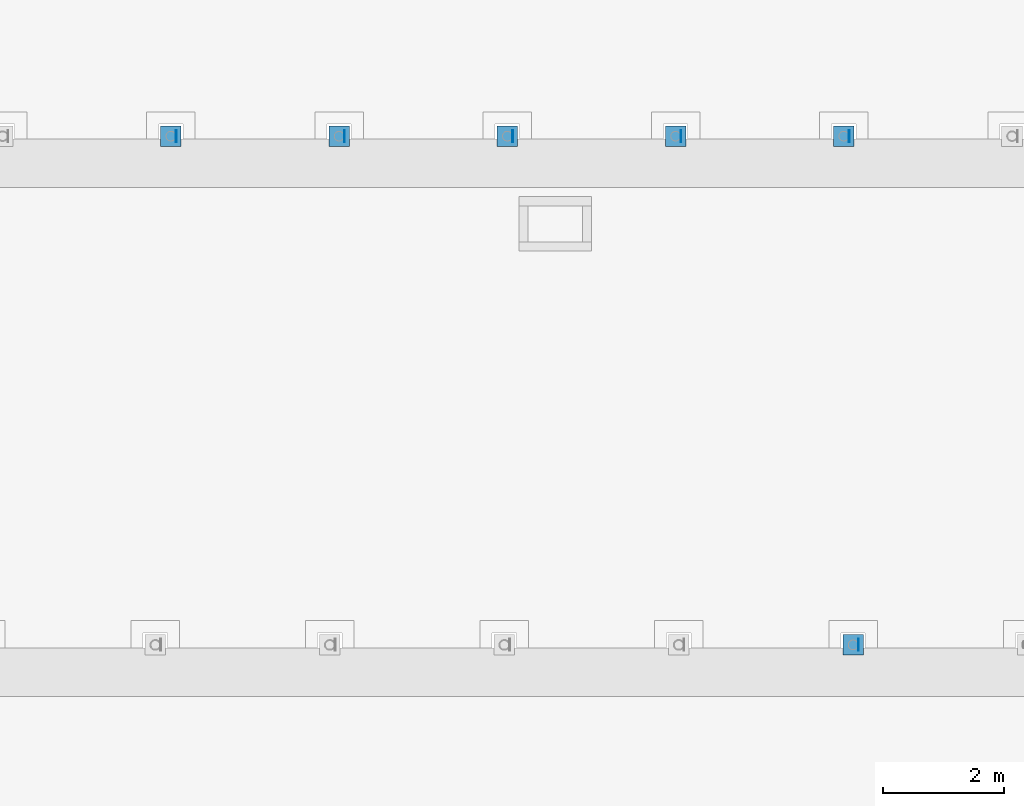
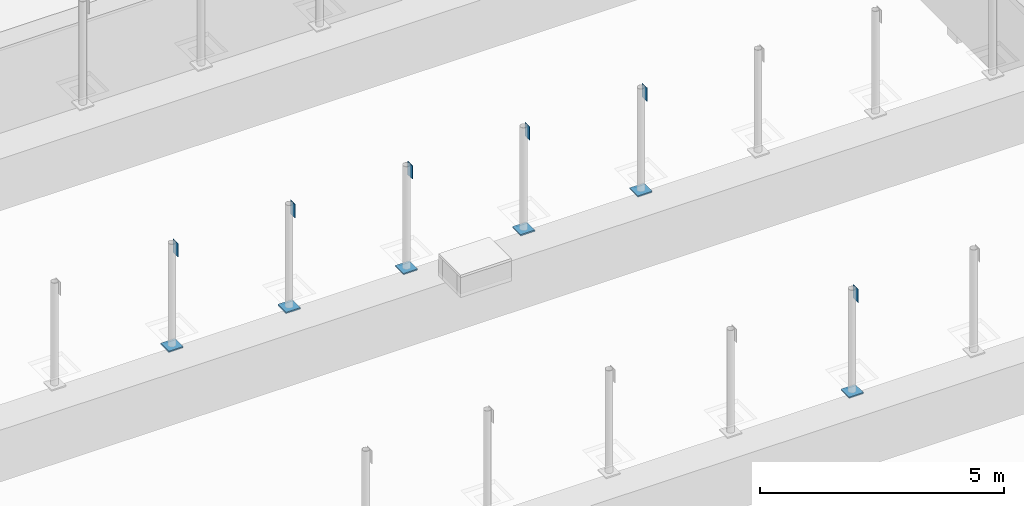
# One storey, part 37 of 47: 12 discrete accessories.
"""IFC4 building model written with IfcOpenShell, lengths in metres."""

import ifcopenshell
import ifcopenshell.guid

model = None  # the IFC model being written
_history = None  # IfcOwnerHistory: only IFC2X3 demands one
_inside = {}  # id of a spatial element -> (the spatial element, [elements in it])
_under = {}  # id of a project, library or spatial element -> (it, [spatial elements below it])
_declared = {}  # id of a project -> (the project, [libraries it declares])
_typed = {}  # id of a type object -> (the type object, [elements of that type])
_made_of = {}  # id of a material, layer set ... -> (it, [elements and type objects made of it])


def new_model(schema):
    """Start an empty IFC model of exactly this schema.

    Asked for "IFC4X3", IfcOpenShell would pick the latest addendum, in which some entities
    have other attributes; the version numbers below select the first issue.
    IFC2X3 requires an IfcOwnerHistory on every rooted entity: one is made here for all.
    """
    global model, _history
    if schema == "IFC4X3":
        model = ifcopenshell.file(schema_version=(4, 3, 0, 0))
    else:
        model = ifcopenshell.file(schema=schema)
    _inside.clear()
    _under.clear()
    _declared.clear()
    _typed.clear()
    _made_of.clear()
    _history = None
    if model.schema == "IFC2X3":
        org = make("IfcOrganization", Name="unknown")
        user = make(
            "IfcPersonAndOrganization",
            ThePerson=make("IfcPerson", FamilyName="unknown"),
            TheOrganization=org,
        )
        app = make(
            "IfcApplication",
            ApplicationDeveloper=org,
            Version="unknown",
            ApplicationFullName="unknown",
            ApplicationIdentifier="unknown",
        )
        _history = make(
            "IfcOwnerHistory",
            OwningUser=user,
            OwningApplication=app,
            ChangeAction="ADDED",
            CreationDate=0,
        )
    return model


def make(cls, **values):
    """One entity of the class cls with the attributes given. An attribute that is None is left unset."""
    return model.create_entity(
        cls, **{name: value for name, value in values.items() if value is not None}
    )


def rooted(cls, **values):
    """An entity with a GlobalId (a new one), such as an element, a storey or a relation."""
    return make(cls, GlobalId=ifcopenshell.guid.new(), OwnerHistory=_history, **values)


def si_unit(unit_type, name, prefix=None):
    """IfcSIUnit, for example si_unit("LENGTHUNIT", "METRE", prefix="MILLI")."""
    return make("IfcSIUnit", UnitType=unit_type, Prefix=prefix, Name=name)


def assignment(units):
    """IfcUnitAssignment: the units of a project."""
    return None if units is None else make("IfcUnitAssignment", Units=units)


def point(xyz):
    """IfcCartesianPoint."""
    return None if xyz is None else make("IfcCartesianPoint", Coordinates=xyz)


def direction(xyz):
    """IfcDirection."""
    return None if xyz is None else make("IfcDirection", DirectionRatios=xyz)


def frame(location, z_axis=None, x_axis=None):
    """IfcAxis2Placement3D, a coordinate frame: its origin and axes. An axis left out is left unset."""
    return make(
        "IfcAxis2Placement3D",
        Location=point(location),
        Axis=direction(z_axis),
        RefDirection=direction(x_axis),
    )


def frame_2d(location, x_axis=None):
    """IfcAxis2Placement2D, a coordinate frame in the plane: its origin and x axis."""
    return make(
        "IfcAxis2Placement2D", Location=point(location), RefDirection=direction(x_axis)
    )


def origin():
    """The frame at (0, 0, 0) with its axes left unset."""
    return frame((0.0, 0.0, 0.0))


def origin_2d():
    """The frame at (0, 0) in the plane with its x axis left unset."""
    return frame_2d((0.0, 0.0))


def place(relative_to, where):
    """IfcLocalPlacement: puts the frame where relative to a parent placement (None: the world)."""
    return make(
        "IfcLocalPlacement", PlacementRelTo=relative_to, RelativePlacement=where
    )


def context(
    kind, dimensions, precision=None, world=None, true_north=None, identifier=None
):
    """IfcGeometricRepresentationContext, for example the 3D "Model" context."""
    return make(
        "IfcGeometricRepresentationContext",
        ContextIdentifier=identifier,
        ContextType=kind,
        CoordinateSpaceDimension=dimensions,
        Precision=precision,
        WorldCoordinateSystem=world,
        TrueNorth=true_north,
    )


def subcontext(parent, identifier, kind, view, scale=None):
    """IfcGeometricRepresentationSubContext, for example "Body" below "Model"."""
    return make(
        "IfcGeometricRepresentationSubContext",
        ContextIdentifier=identifier,
        ContextType=kind,
        ParentContext=parent,
        TargetScale=scale,
        TargetView=view,
    )


def project(units=None, contexts=None):
    """IfcProject with its units and contexts."""
    return rooted(
        "IfcProject",
        Name="project",
        RepresentationContexts=contexts,
        UnitsInContext=assignment(units),
    )


def spatial(cls, under=None, at=None, **own):
    """A site, building, storey or space (cls), placed at a placement, below another one or the project."""
    s = rooted(cls, ObjectPlacement=at, **own)
    if under is not None:
        _under.setdefault(under.id(), (under, []))[1].append(s)
    return s


def profile(cls, at=None, kind="AREA", **sizes):
    """A parametric profile (cls). Its sizes go by their IFC names, for example OverallWidth=200.0."""
    return make(cls, ProfileType=kind, Position=at, **sizes)


def rectangle(**sizes):
    """IfcRectangleProfileDef."""
    return profile("IfcRectangleProfileDef", **sizes)


def extrude(swept, where, along, depth):
    """IfcExtrudedAreaSolid: the profile swept, set in the frame where, extruded along a direction by depth."""
    return make(
        "IfcExtrudedAreaSolid",
        SweptArea=swept,
        Position=where,
        ExtrudedDirection=direction(along),
        Depth=depth,
    )


def shape(context_of_items, identifier, shape_type, items):
    """IfcShapeRepresentation: the items that make up one representation, for example the "Body"."""
    return make(
        "IfcShapeRepresentation",
        ContextOfItems=context_of_items,
        RepresentationIdentifier=identifier,
        RepresentationType=shape_type,
        Items=items,
    )


def material(Name=None, Category=None):
    """IfcMaterial."""
    return make("IfcMaterial", Name=Name, Category=Category)


def layer(
    of_material, thickness, ventilated=None, Name=None, Category=None, Priority=None
):
    """IfcMaterialLayer: one layer of a wall or slab, of a material (None: an air gap)."""
    return make(
        "IfcMaterialLayer",
        Material=of_material,
        LayerThickness=thickness,
        IsVentilated=ventilated,
        Name=Name,
        Category=Category,
        Priority=Priority,
    )


def layer_set(layers, Name=None):
    """IfcMaterialLayerSet."""
    return make("IfcMaterialLayerSet", MaterialLayers=layers, LayerSetName=Name)


def material_profile(
    of_material, cross_section, Name=None, Category=None, Priority=None
):
    """IfcMaterialProfile: a cross section and its material."""
    return make(
        "IfcMaterialProfile",
        Name=Name,
        Material=of_material,
        Profile=cross_section,
        Priority=Priority,
        Category=Category,
    )


def profile_set(profiles, Name=None, composite=None):
    """IfcMaterialProfileSet."""
    return make(
        "IfcMaterialProfileSet",
        Name=Name,
        MaterialProfiles=profiles,
        CompositeProfile=composite,
    )


def made_of(thing, what):
    """Note that an element or type object is made of a material, layer set ...; save() writes the relation."""
    if what is not None:
        _made_of.setdefault(what.id(), (what, []))[1].append(thing)
    return thing


def type_object(cls, material=None, **own):
    """A type object (cls), such as IfcWallType, which elements share."""
    return made_of(rooted(cls, **own), material)


def element(
    cls,
    number,
    at=None,
    inside=None,
    cuts=None,
    type_object=None,
    material=None,
    context=None,
    identifier="Body",
    shape_type=None,
    held_by="IfcProductDefinitionShape",
    body=None,
    shapes=None,
    **own,
):
    """One element of the class cls, such as IfcWall. Its Tag is "e" and its number.

    at: its placement. inside: the storey or other place that contains it. cuts: it is an
    opening in that element (IfcRelVoidsElement). A single representation is given by context,
    identifier, shape_type and body (its items); several are given by shapes. held_by: the class
    of the entity that holds the representations. save() writes the other relations.
    """
    e = rooted(cls, Tag="e%d" % number, ObjectPlacement=at, **own)
    if body is not None:
        shapes = [shape(context, identifier, shape_type, body)]
    if shapes is not None:
        e.Representation = make(held_by, Representations=shapes)
    if inside is not None:
        _inside.setdefault(inside.id(), (inside, []))[1].append(e)
    if cuts is not None:
        rooted(
            "IfcRelVoidsElement", RelatingBuildingElement=cuts, RelatedOpeningElement=e
        )
    if type_object is not None:
        _typed.setdefault(type_object.id(), (type_object, []))[1].append(e)
    return made_of(e, material)


def aggregate(whole, parts):
    """IfcRelAggregates: a whole, such as a stair, and the parts it consists of."""
    return rooted("IfcRelAggregates", RelatingObject=whole, RelatedObjects=parts)


def save(model, path):
    """Write the relations noted so far, then the file.

    IfcRelAggregates (storeys below a building ...), IfcRelContainedInSpatialStructure (elements
    in a storey), IfcRelDefinesByType, IfcRelAssociatesMaterial and IfcRelDeclares: one each for
    every whole, place, type object, material and project.
    """
    for whole, parts in _under.values():
        aggregate(whole, parts)
    for where, things in _inside.values():
        rooted(
            "IfcRelContainedInSpatialStructure",
            RelatedElements=things,
            RelatingStructure=where,
        )
    for kind, things in _typed.values():
        rooted("IfcRelDefinesByType", RelatedObjects=things, RelatingType=kind)
    for what, things in _made_of.values():
        rooted("IfcRelAssociatesMaterial", RelatedObjects=things, RelatingMaterial=what)
    for by, libraries in _declared.values():
        rooted("IfcRelDeclares", RelatingContext=by, RelatedDefinitions=libraries)
    model.write(path)


model = new_model("IFC4")

# Units and contexts
model_context = context("Model", 3, precision=1e-05, world=origin(), true_north=direction((0.0, 1.0)))
body_context = subcontext(model_context, "Body", "Model", "MODEL_VIEW")
ifc_project = project(units=[si_unit("LENGTHUNIT", "METRE"), si_unit("AREAUNIT", "SQUARE_METRE"), si_unit("VOLUMEUNIT", "CUBIC_METRE"), si_unit("PLANEANGLEUNIT", "RADIAN"), si_unit("MASSUNIT", "GRAM", prefix="KILO")], contexts=[model_context])

# Site, building, storey
site_placement = place(None, origin())
site = spatial("IfcSite", under=ifc_project, at=site_placement, CompositionType="ELEMENT")
building_placement = place(site_placement, origin())
building = spatial("IfcBuilding", under=site, at=building_placement, Name="Larchfold Concert Hall", CompositionType="ELEMENT")
storey_placement = place(building_placement, frame((0.0, 0.0, 24.0)))
storey = spatial("IfcBuildingStorey", under=building, at=storey_placement, Name="L05", CompositionType="ELEMENT", Elevation=24.0)

# Discrete accessories
ifc_material_1 = material(Name="Steel S355 galvanised bracket", Category="steel")
ifc_material_profile = material_profile(ifc_material_1, rectangle(XDim=0.011962890625, YDim=0.199951171875, at=origin_2d()))
ifc_profile_set = profile_set([ifc_material_profile], Name="Steel S355 galvanised bracket")
discrete_accessory_type_1 = type_object("IfcDiscreteAccessoryType", Name="Gusset plate 12x200", PredefinedType="BRACKET", material=ifc_profile_set)
for number, where, z_axis, x_axis, name in (
    (1, (47.010986328125, 85.050048828125, 4.30859375), (0.0, 0.0, 1.0), (1.0, 0.0, 0.0), "Gusset plate GP0099"),
    (2, (35.745361328125, 93.4501953125, 4.30859375), (0.0, 0.0, 1.0), (1.0, 0.0, 0.0), "Gusset plate GP0105"),
    (3, (38.523193359375, 93.4501953125, 4.30859375), (0.0, 0.0, 1.0), (1.0, 0.0, 0.0), "Gusset plate GP0106"),
    (4, (41.30126953125, 93.4501953125, 4.30859375), (0.0, 0.0, 1.0), (1.0, 0.0, 0.0), "Gusset plate GP0107"),
    (5, (44.0791015625, 93.4501953125, 4.30859375), (0.0, 0.0, 1.0), (1.0, 0.0, 0.0), "Gusset plate GP0108"),
    (6, (46.857177734375, 93.4501953125, 4.3134765625), (0.0, 0.0, 1.0), (1.0, 0.0, 0.0), "Gusset plate GP0109"),
):
    element("IfcDiscreteAccessory", number, at=place(storey_placement, frame(where, z_axis=z_axis, x_axis=x_axis)), inside=storey, type_object=discrete_accessory_type_1, Name=name, PredefinedType="BRACKET", context=body_context, shape_type="SweptSolid", body=[
        extrude(rectangle(XDim=0.011962890625, YDim=0.199951171875, at=origin_2d()), origin(), (0.0, 0.0, 1.0), 0.336669921875),
    ])
ifc_material_2 = material(Name="Steel S355 galvanised bracket", Category="steel")
ifc_layer = layer(ifc_material_2, 0.030029296875)
ifc_layer_set = layer_set([ifc_layer], Name="Steel S355 galvanised bracket")
discrete_accessory_type_2 = type_object("IfcDiscreteAccessoryType", Name="Post base plate 340x340x30", PredefinedType="BRACKET", material=ifc_layer_set)
for number, where, z_axis, x_axis, name in (
    (7, (46.9208984375, 85.050048828125, 2.0498046875), (0.0, 0.0, 1.0), (1.0, 0.0, 0.0), "Post base plate BP027"),
    (8, (35.6552734375, 93.4501953125, 2.0498046875), (0.0, 0.0, 1.0), (1.0, 0.0, 0.0), "Post base plate BP033"),
    (9, (38.43310546875, 93.4501953125, 2.0498046875), (0.0, 0.0, 1.0), (1.0, 0.0, 0.0), "Post base plate BP034"),
    (10, (41.211181640625, 93.4501953125, 2.0498046875), (0.0, 0.0, 1.0), (1.0, 0.0, 0.0), "Post base plate BP035"),
    (11, (43.989013671875, 93.4501953125, 2.0498046875), (0.0, 0.0, 1.0), (1.0, 0.0, 0.0), "Post base plate BP036"),
    (12, (46.76708984375, 93.4501953125, 2.0498046875), (0.0, 0.0, 1.0), (1.0, 0.0, 0.0), "Post base plate BP037"),
):
    element("IfcDiscreteAccessory", number, at=place(storey_placement, frame(where, z_axis=z_axis, x_axis=x_axis)), inside=storey, type_object=discrete_accessory_type_2, Name=name, PredefinedType="BRACKET", context=body_context, shape_type="SweptSolid", body=[
        extrude(rectangle(XDim=0.340087890625, YDim=0.340087890625, at=origin_2d()), origin(), (0.0, 0.0, 1.0), 0.030029296875),
    ])

save(model, "model.ifc")
